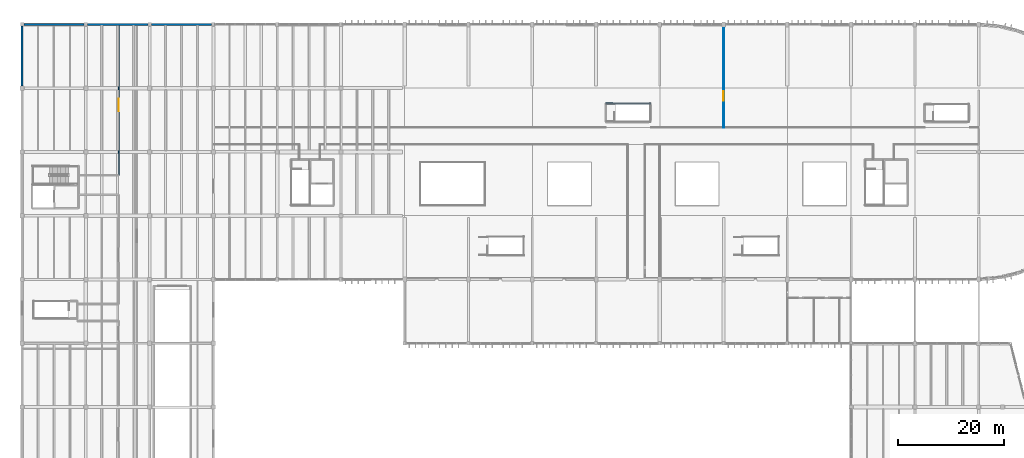
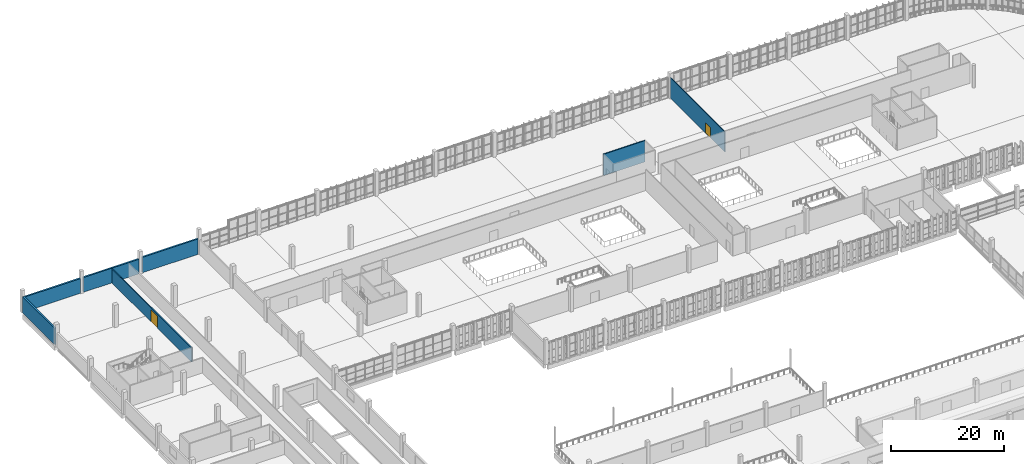
# One storey, part 88 of 112: 7 walls, 2 doors, 2 openings.
"""IFC4 building model written with IfcOpenShell, lengths in metres."""

import ifcopenshell
import ifcopenshell.guid

model = None  # the IFC model being written
_history = None  # IfcOwnerHistory: only IFC2X3 demands one
_inside = {}  # id of a spatial element -> (the spatial element, [elements in it])
_under = {}  # id of a project, library or spatial element -> (it, [spatial elements below it])
_declared = {}  # id of a project -> (the project, [libraries it declares])
_typed = {}  # id of a type object -> (the type object, [elements of that type])
_made_of = {}  # id of a material, layer set ... -> (it, [elements and type objects made of it])


def new_model(schema):
    """Start an empty IFC model of exactly this schema.

    Asked for "IFC4X3", IfcOpenShell would pick the latest addendum, in which some entities
    have other attributes; the version numbers below select the first issue.
    IFC2X3 requires an IfcOwnerHistory on every rooted entity: one is made here for all.
    """
    global model, _history
    if schema == "IFC4X3":
        model = ifcopenshell.file(schema_version=(4, 3, 0, 0))
    else:
        model = ifcopenshell.file(schema=schema)
    _inside.clear()
    _under.clear()
    _declared.clear()
    _typed.clear()
    _made_of.clear()
    _history = None
    if model.schema == "IFC2X3":
        org = make("IfcOrganization", Name="unknown")
        user = make(
            "IfcPersonAndOrganization",
            ThePerson=make("IfcPerson", FamilyName="unknown"),
            TheOrganization=org,
        )
        app = make(
            "IfcApplication",
            ApplicationDeveloper=org,
            Version="unknown",
            ApplicationFullName="unknown",
            ApplicationIdentifier="unknown",
        )
        _history = make(
            "IfcOwnerHistory",
            OwningUser=user,
            OwningApplication=app,
            ChangeAction="ADDED",
            CreationDate=0,
        )
    return model


def make(cls, **values):
    """One entity of the class cls with the attributes given. An attribute that is None is left unset."""
    return model.create_entity(
        cls, **{name: value for name, value in values.items() if value is not None}
    )


def rooted(cls, **values):
    """An entity with a GlobalId (a new one), such as an element, a storey or a relation."""
    return make(cls, GlobalId=ifcopenshell.guid.new(), OwnerHistory=_history, **values)


def si_unit(unit_type, name, prefix=None):
    """IfcSIUnit, for example si_unit("LENGTHUNIT", "METRE", prefix="MILLI")."""
    return make("IfcSIUnit", UnitType=unit_type, Prefix=prefix, Name=name)


def assignment(units):
    """IfcUnitAssignment: the units of a project."""
    return None if units is None else make("IfcUnitAssignment", Units=units)


def point(xyz):
    """IfcCartesianPoint."""
    return None if xyz is None else make("IfcCartesianPoint", Coordinates=xyz)


def direction(xyz):
    """IfcDirection."""
    return None if xyz is None else make("IfcDirection", DirectionRatios=xyz)


def frame(location, z_axis=None, x_axis=None):
    """IfcAxis2Placement3D, a coordinate frame: its origin and axes. An axis left out is left unset."""
    return make(
        "IfcAxis2Placement3D",
        Location=point(location),
        Axis=direction(z_axis),
        RefDirection=direction(x_axis),
    )


def frame_2d(location, x_axis=None):
    """IfcAxis2Placement2D, a coordinate frame in the plane: its origin and x axis."""
    return make(
        "IfcAxis2Placement2D", Location=point(location), RefDirection=direction(x_axis)
    )


def origin():
    """The frame at (0, 0, 0) with its axes left unset."""
    return frame((0.0, 0.0, 0.0))


def place(relative_to, where):
    """IfcLocalPlacement: puts the frame where relative to a parent placement (None: the world)."""
    return make(
        "IfcLocalPlacement", PlacementRelTo=relative_to, RelativePlacement=where
    )


def context(
    kind, dimensions, precision=None, world=None, true_north=None, identifier=None
):
    """IfcGeometricRepresentationContext, for example the 3D "Model" context."""
    return make(
        "IfcGeometricRepresentationContext",
        ContextIdentifier=identifier,
        ContextType=kind,
        CoordinateSpaceDimension=dimensions,
        Precision=precision,
        WorldCoordinateSystem=world,
        TrueNorth=true_north,
    )


def subcontext(parent, identifier, kind, view, scale=None):
    """IfcGeometricRepresentationSubContext, for example "Body" below "Model"."""
    return make(
        "IfcGeometricRepresentationSubContext",
        ContextIdentifier=identifier,
        ContextType=kind,
        ParentContext=parent,
        TargetScale=scale,
        TargetView=view,
    )


def project(units=None, contexts=None):
    """IfcProject with its units and contexts."""
    return rooted(
        "IfcProject",
        Name="project",
        RepresentationContexts=contexts,
        UnitsInContext=assignment(units),
    )


def spatial(cls, under=None, at=None, **own):
    """A site, building, storey or space (cls), placed at a placement, below another one or the project."""
    s = rooted(cls, ObjectPlacement=at, **own)
    if under is not None:
        _under.setdefault(under.id(), (under, []))[1].append(s)
    return s


def profile(cls, at=None, kind="AREA", **sizes):
    """A parametric profile (cls). Its sizes go by their IFC names, for example OverallWidth=200.0."""
    return make(cls, ProfileType=kind, Position=at, **sizes)


def rectangle(**sizes):
    """IfcRectangleProfileDef."""
    return profile("IfcRectangleProfileDef", **sizes)


def extrude(swept, where, along, depth):
    """IfcExtrudedAreaSolid: the profile swept, set in the frame where, extruded along a direction by depth."""
    return make(
        "IfcExtrudedAreaSolid",
        SweptArea=swept,
        Position=where,
        ExtrudedDirection=direction(along),
        Depth=depth,
    )


def shape(context_of_items, identifier, shape_type, items):
    """IfcShapeRepresentation: the items that make up one representation, for example the "Body"."""
    return make(
        "IfcShapeRepresentation",
        ContextOfItems=context_of_items,
        RepresentationIdentifier=identifier,
        RepresentationType=shape_type,
        Items=items,
    )


def material(Name=None, Category=None):
    """IfcMaterial."""
    return make("IfcMaterial", Name=Name, Category=Category)


def layer(
    of_material, thickness, ventilated=None, Name=None, Category=None, Priority=None
):
    """IfcMaterialLayer: one layer of a wall or slab, of a material (None: an air gap)."""
    return make(
        "IfcMaterialLayer",
        Material=of_material,
        LayerThickness=thickness,
        IsVentilated=ventilated,
        Name=Name,
        Category=Category,
        Priority=Priority,
    )


def layer_set(layers, Name=None):
    """IfcMaterialLayerSet."""
    return make("IfcMaterialLayerSet", MaterialLayers=layers, LayerSetName=Name)


def made_of(thing, what):
    """Note that an element or type object is made of a material, layer set ...; save() writes the relation."""
    if what is not None:
        _made_of.setdefault(what.id(), (what, []))[1].append(thing)
    return thing


def type_object(cls, material=None, **own):
    """A type object (cls), such as IfcWallType, which elements share."""
    return made_of(rooted(cls, **own), material)


def element(
    cls,
    number,
    at=None,
    inside=None,
    cuts=None,
    type_object=None,
    material=None,
    context=None,
    identifier="Body",
    shape_type=None,
    held_by="IfcProductDefinitionShape",
    body=None,
    shapes=None,
    **own,
):
    """One element of the class cls, such as IfcWall. Its Tag is "e" and its number.

    at: its placement. inside: the storey or other place that contains it. cuts: it is an
    opening in that element (IfcRelVoidsElement). A single representation is given by context,
    identifier, shape_type and body (its items); several are given by shapes. held_by: the class
    of the entity that holds the representations. save() writes the other relations.
    """
    e = rooted(cls, Tag="e%d" % number, ObjectPlacement=at, **own)
    if body is not None:
        shapes = [shape(context, identifier, shape_type, body)]
    if shapes is not None:
        e.Representation = make(held_by, Representations=shapes)
    if inside is not None:
        _inside.setdefault(inside.id(), (inside, []))[1].append(e)
    if cuts is not None:
        rooted(
            "IfcRelVoidsElement", RelatingBuildingElement=cuts, RelatedOpeningElement=e
        )
    if type_object is not None:
        _typed.setdefault(type_object.id(), (type_object, []))[1].append(e)
    return made_of(e, material)


def fill(opening, filler):
    """IfcRelFillsElement: the door or window that sits in an opening."""
    return rooted(
        "IfcRelFillsElement",
        RelatingOpeningElement=opening,
        RelatedBuildingElement=filler,
    )


def aggregate(whole, parts):
    """IfcRelAggregates: a whole, such as a stair, and the parts it consists of."""
    return rooted("IfcRelAggregates", RelatingObject=whole, RelatedObjects=parts)


def save(model, path):
    """Write the relations noted so far, then the file.

    IfcRelAggregates (storeys below a building ...), IfcRelContainedInSpatialStructure (elements
    in a storey), IfcRelDefinesByType, IfcRelAssociatesMaterial and IfcRelDeclares: one each for
    every whole, place, type object, material and project.
    """
    for whole, parts in _under.values():
        aggregate(whole, parts)
    for where, things in _inside.values():
        rooted(
            "IfcRelContainedInSpatialStructure",
            RelatedElements=things,
            RelatingStructure=where,
        )
    for kind, things in _typed.values():
        rooted("IfcRelDefinesByType", RelatedObjects=things, RelatingType=kind)
    for what, things in _made_of.values():
        rooted("IfcRelAssociatesMaterial", RelatedObjects=things, RelatingMaterial=what)
    for by, libraries in _declared.values():
        rooted("IfcRelDeclares", RelatingContext=by, RelatedDefinitions=libraries)
    model.write(path)


model = new_model("IFC4")

# Units and contexts
model_context = context("Model", 3, precision=1e-05, world=origin(), true_north=direction((0.0, 1.0)))
body_context = subcontext(model_context, "Body", "Model", "MODEL_VIEW")
ifc_project = project(units=[si_unit("LENGTHUNIT", "METRE"), si_unit("AREAUNIT", "SQUARE_METRE"), si_unit("VOLUMEUNIT", "CUBIC_METRE"), si_unit("PLANEANGLEUNIT", "RADIAN"), si_unit("MASSUNIT", "GRAM", prefix="KILO")], contexts=[model_context])

# Site, building, storey
site_placement = place(None, origin())
site = spatial("IfcSite", under=ifc_project, at=site_placement, CompositionType="ELEMENT")
building_placement = place(site_placement, origin())
building = spatial("IfcBuilding", under=site, at=building_placement, Name="Kamomehara Wholesale Market", CompositionType="ELEMENT")
storey_placement = place(building_placement, frame((0.0, 0.0, 6.60009765625)))
storey = spatial("IfcBuildingStorey", under=building, at=storey_placement, Name="L01", CompositionType="ELEMENT", Elevation=6.60009765625)

# Walls
ifc_material_1 = material(Name="Polyurethane insulated metal panel")
ifc_layer_1 = layer(ifc_material_1, 0.340087890625)
ifc_layer_set_1 = layer_set([ifc_layer_1], Name="Polyurethane insulated metal panel")
wall_type_1 = type_object("IfcWallType", Name="EW-CLD-340", PredefinedType="SOLIDWALL", material=ifc_layer_set_1)
wall_1_placement = place(storey_placement, frame((0.0, 144.389892578125, 0.0), z_axis=(0.0, 0.0, 1.0), x_axis=(0.0, 1.0, 0.0)))
element("IfcWall", 1, at=wall_1_placement, inside=storey, type_object=wall_type_1, Name="Exterior wall EW-CLD-340 30", PredefinedType="SOLIDWALL", context=body_context, shape_type="SweptSolid", body=[
    extrude(rectangle(XDim=11.28515625, YDim=0.340087890625, at=frame_2d((5.642578125, 0.0))), origin(), (0.0, 0.0, 1.0), 3.52001953125),
])
for number, where, z_axis, x_axis, name in (
    (2, (0.324951171875, 156.0, 0.0), (0.0, 0.0, 1.0), (1.0, 0.0, 0.0), "Exterior wall EW-CLD-340 31"),
    (3, (12.324951171875, 156.0, 0.0), (0.0, 0.0, 1.0), (1.0, 0.0, 0.0), "Exterior wall EW-CLD-340 33"),
):
    element("IfcWall", number, at=place(storey_placement, frame(where, z_axis=z_axis, x_axis=x_axis)), inside=storey, type_object=wall_type_1, Name=name, PredefinedType="SOLIDWALL", context=body_context, shape_type="SweptSolid", body=[
        extrude(rectangle(XDim=11.35009765625, YDim=0.340087890625, at=frame_2d((5.675048828125, 0.0))), origin(), (0.0, 0.0, 1.0), 3.169921875),
    ])
wall_2_placement = place(storey_placement, frame((24.324951171875, 156.0, 0.0), z_axis=(0.0, 0.0, 1.0), x_axis=(1.0, 0.0, 0.0)))
element("IfcWall", 4, at=wall_2_placement, inside=storey, type_object=wall_type_1, Name="Exterior wall EW-CLD-340 35", PredefinedType="SOLIDWALL", context=body_context, shape_type="SweptSolid", body=[
    extrude(rectangle(XDim=11.35009765625, YDim=0.340087890625, at=frame_2d((5.675048828125, 0.0))), origin(), (0.0, 0.0, 1.0), 3.31982421875),
])

# Wall, opening, door
ifc_material_2 = material(Name="Gypsum board partition")
ifc_layer_2 = layer(ifc_material_2, 0.14990234375)
ifc_layer_set_2 = layer_set([ifc_layer_2], Name="Gypsum board partition")
wall_type_2 = type_object("IfcWallType", Name="IW-PRT-150", PredefinedType="PARTITIONING", material=ifc_layer_set_2)
wall_3_placement = place(storey_placement, frame((132.0, 136.60009765625, 0.0), z_axis=(0.0, 0.0, 1.0), x_axis=(0.0, 1.0, 0.0)))
wall_3 = element("IfcWall", 5, at=wall_3_placement, inside=storey, type_object=wall_type_2, Name="Interior wall IW-PRT-150 291", PredefinedType="PARTITIONING", context=body_context, shape_type="SweptSolid", body=[
    extrude(rectangle(XDim=19.35986328125, YDim=0.14990234375, at=frame_2d((9.679931640625, 0.0))), origin(), (0.0, 0.0, 1.0), 4.385009765625),
])
opening_1_placement = place(wall_3_placement, frame((5.0, 0.0, 0.0)))
opening_1 = element("IfcOpeningElement", 6, at=opening_1_placement, cuts=wall_3, Name="Opening ID-L01-179", PredefinedType="OPENING", context=body_context, shape_type="SweptSolid", body=[
    extrude(rectangle(XDim=1.800048828125, YDim=2.199951171875, at=frame_2d((0.89990234375, 1.10009765625))), frame((0.0, 0.08984375, 0.0), z_axis=(0.0, -1.0, 0.0), x_axis=(1.0, 0.0, 0.0)), (0.0, 0.0, 1.0), 0.1796875),
])
ifc_material_3 = material(Name="Steel SN400B", Category="steel")
door_type_1 = type_object("IfcDoorType", Name="IDR-FD-1800x2200", OperationType="NOTDEFINED", PredefinedType="DOOR", material=ifc_material_3)
door_1_placement = place(opening_1_placement, origin())
door_1 = element("IfcDoor", 7, at=door_1_placement, inside=storey, type_object=door_type_1, Name="Interior door ID-L01-179", OperationType="SINGLE_SWING_LEFT", OverallHeight=2.199951171875, OverallWidth=1.800048828125, PredefinedType="DOOR", context=body_context, shape_type="SweptSolid", body=[
    extrude(rectangle(XDim=1.800048828125, YDim=2.199951171875, at=frame_2d((0.89990234375, 1.10009765625))), frame((0.0, 0.02490234375, 0.0), z_axis=(0.0, -1.0, 0.0), x_axis=(1.0, 0.0, 0.0)), (0.0, 0.0, 1.0), 0.050048828125),
])
fill(opening_1, door_1)

ifc_material_4 = material(Name="Gypsum board partition")
ifc_layer_3 = layer(ifc_material_4, 0.199951171875)
ifc_layer_set_3 = layer_set([ifc_layer_3], Name="Gypsum board partition")
wall_type_3 = type_object("IfcWallType", Name="IW-PRT-200", PredefinedType="PARTITIONING", material=ifc_layer_set_3)
wall_4_placement = place(storey_placement, frame((18.199951171875, 127.64990234375, 0.0), z_axis=(0.0, 0.0, 1.0), x_axis=(0.0, 1.0, 0.0)))
wall_4 = element("IfcWall", 8, at=wall_4_placement, inside=storey, type_object=wall_type_3, Name="Interior wall IW-PRT-200 309", PredefinedType="PARTITIONING", context=body_context, shape_type="SweptSolid", body=[
    extrude(rectangle(XDim=28.18017578125, YDim=0.199951171875, at=frame_2d((14.090087890625, 0.0))), origin(), (0.0, 0.0, 1.0), 3.032958984375),
])
opening_2_placement = place(wall_4_placement, frame((12.0, 0.0, 0.0)))
opening_2 = element("IfcOpeningElement", 9, at=opening_2_placement, cuts=wall_4, Name="Opening ID-L01-192", PredefinedType="OPENING", context=body_context, shape_type="SweptSolid", body=[
    extrude(rectangle(XDim=2.39990234375, YDim=2.60009765625, at=frame_2d((1.199951171875, 1.300048828125))), frame((0.0, 0.11474609375, 0.0), z_axis=(0.0, -1.0, 0.0), x_axis=(1.0, 0.0, 0.0)), (0.0, 0.0, 1.0), 0.229736328125),
])
ifc_material_5 = material(Name="Steel SN400B", Category="steel")
door_type_2 = type_object("IfcDoorType", Name="IDR-CL-2400x2600", OperationType="NOTDEFINED", PredefinedType="DOOR", material=ifc_material_5)
door_2_placement = place(opening_2_placement, origin())
door_2 = element("IfcDoor", 10, at=door_2_placement, inside=storey, type_object=door_type_2, Name="Interior door ID-L01-192", OperationType="SINGLE_SWING_RIGHT", OverallHeight=2.60009765625, OverallWidth=2.39990234375, PredefinedType="DOOR", context=body_context, shape_type="SweptSolid", body=[
    extrude(rectangle(XDim=2.39990234375, YDim=2.60009765625, at=frame_2d((1.199951171875, 1.300048828125))), frame((0.0, 0.02490234375, 0.0), z_axis=(0.0, -1.0, 0.0), x_axis=(1.0, 0.0, 0.0)), (0.0, 0.0, 1.0), 0.050048828125),
])
fill(opening_2, door_2)

# Wall
ifc_material_6 = material(Name="Concrete Fc36 (C35/45)", Category="concrete")
ifc_layer_4 = layer(ifc_material_6, 0.219970703125)
ifc_layer_set_4 = layer_set([ifc_layer_4], Name="Concrete Fc36 (C35/45)")
wall_type_4 = type_object("IfcWallType", Name="IW-SHR-220", PredefinedType="SHEAR", material=ifc_layer_set_4)
wall_5_placement = place(storey_placement, frame((118.27001953125, 141.1201171875, 0.0), z_axis=(0.0, 0.0, 1.0), x_axis=(-1.0, 0.0, 0.0)))
element("IfcWall", 11, at=wall_5_placement, inside=storey, type_object=wall_type_4, Name="Interior wall IW-SHR-220 170", PredefinedType="SHEAR", context=body_context, shape_type="SweptSolid", body=[
    extrude(rectangle(XDim=8.469970703125, YDim=0.219970703125, at=frame_2d((4.23486328125, 0.0))), origin(), (0.0, 0.0, 1.0), 4.58984375),
])

save(model, "model.ifc")
